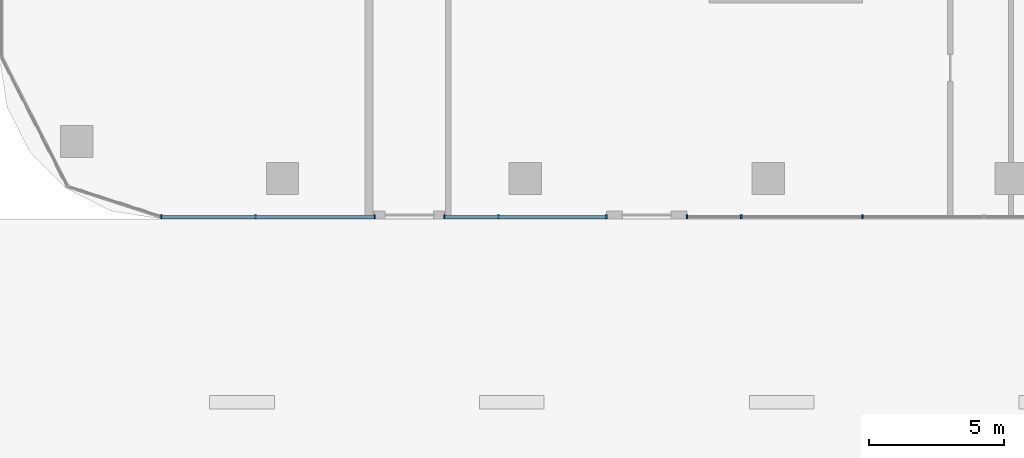
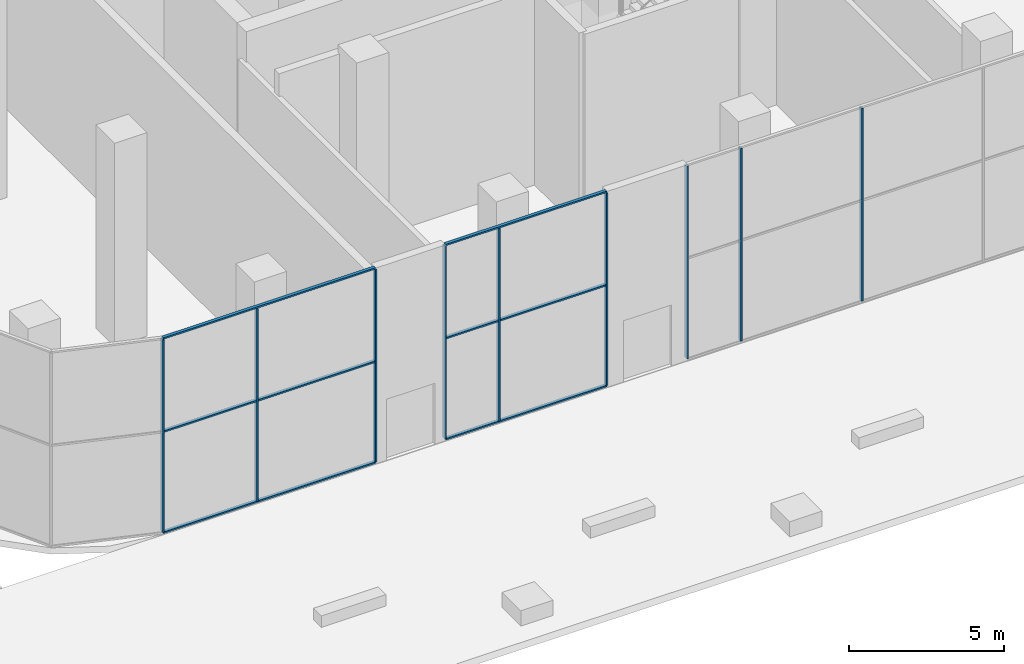
# One storey, part 12 of 54: 15 members, 3 elements without a shape of their own.
"""IFC4 building model written with IfcOpenShell, lengths in metres."""

import ifcopenshell
import ifcopenshell.guid

model = None  # the IFC model being written
_history = None  # IfcOwnerHistory: only IFC2X3 demands one
_inside = {}  # id of a spatial element -> (the spatial element, [elements in it])
_under = {}  # id of a project, library or spatial element -> (it, [spatial elements below it])
_declared = {}  # id of a project -> (the project, [libraries it declares])
_typed = {}  # id of a type object -> (the type object, [elements of that type])
_made_of = {}  # id of a material, layer set ... -> (it, [elements and type objects made of it])


def new_model(schema):
    """Start an empty IFC model of exactly this schema.

    Asked for "IFC4X3", IfcOpenShell would pick the latest addendum, in which some entities
    have other attributes; the version numbers below select the first issue.
    IFC2X3 requires an IfcOwnerHistory on every rooted entity: one is made here for all.
    """
    global model, _history
    if schema == "IFC4X3":
        model = ifcopenshell.file(schema_version=(4, 3, 0, 0))
    else:
        model = ifcopenshell.file(schema=schema)
    _inside.clear()
    _under.clear()
    _declared.clear()
    _typed.clear()
    _made_of.clear()
    _history = None
    if model.schema == "IFC2X3":
        org = make("IfcOrganization", Name="unknown")
        user = make(
            "IfcPersonAndOrganization",
            ThePerson=make("IfcPerson", FamilyName="unknown"),
            TheOrganization=org,
        )
        app = make(
            "IfcApplication",
            ApplicationDeveloper=org,
            Version="unknown",
            ApplicationFullName="unknown",
            ApplicationIdentifier="unknown",
        )
        _history = make(
            "IfcOwnerHistory",
            OwningUser=user,
            OwningApplication=app,
            ChangeAction="ADDED",
            CreationDate=0,
        )
    return model


def make(cls, **values):
    """One entity of the class cls with the attributes given. An attribute that is None is left unset."""
    return model.create_entity(
        cls, **{name: value for name, value in values.items() if value is not None}
    )


def rooted(cls, **values):
    """An entity with a GlobalId (a new one), such as an element, a storey or a relation."""
    return make(cls, GlobalId=ifcopenshell.guid.new(), OwnerHistory=_history, **values)


def si_unit(unit_type, name, prefix=None):
    """IfcSIUnit, for example si_unit("LENGTHUNIT", "METRE", prefix="MILLI")."""
    return make("IfcSIUnit", UnitType=unit_type, Prefix=prefix, Name=name)


def assignment(units):
    """IfcUnitAssignment: the units of a project."""
    return None if units is None else make("IfcUnitAssignment", Units=units)


def point(xyz):
    """IfcCartesianPoint."""
    return None if xyz is None else make("IfcCartesianPoint", Coordinates=xyz)


def direction(xyz):
    """IfcDirection."""
    return None if xyz is None else make("IfcDirection", DirectionRatios=xyz)


def frame(location, z_axis=None, x_axis=None):
    """IfcAxis2Placement3D, a coordinate frame: its origin and axes. An axis left out is left unset."""
    return make(
        "IfcAxis2Placement3D",
        Location=point(location),
        Axis=direction(z_axis),
        RefDirection=direction(x_axis),
    )


def frame_2d(location, x_axis=None):
    """IfcAxis2Placement2D, a coordinate frame in the plane: its origin and x axis."""
    return make(
        "IfcAxis2Placement2D", Location=point(location), RefDirection=direction(x_axis)
    )


def origin():
    """The frame at (0, 0, 0) with its axes left unset."""
    return frame((0.0, 0.0, 0.0))


def origin_2d():
    """The frame at (0, 0) in the plane with its x axis left unset."""
    return frame_2d((0.0, 0.0))


def place(relative_to, where):
    """IfcLocalPlacement: puts the frame where relative to a parent placement (None: the world)."""
    return make(
        "IfcLocalPlacement", PlacementRelTo=relative_to, RelativePlacement=where
    )


def context(
    kind, dimensions, precision=None, world=None, true_north=None, identifier=None
):
    """IfcGeometricRepresentationContext, for example the 3D "Model" context."""
    return make(
        "IfcGeometricRepresentationContext",
        ContextIdentifier=identifier,
        ContextType=kind,
        CoordinateSpaceDimension=dimensions,
        Precision=precision,
        WorldCoordinateSystem=world,
        TrueNorth=true_north,
    )


def subcontext(parent, identifier, kind, view, scale=None):
    """IfcGeometricRepresentationSubContext, for example "Body" below "Model"."""
    return make(
        "IfcGeometricRepresentationSubContext",
        ContextIdentifier=identifier,
        ContextType=kind,
        ParentContext=parent,
        TargetScale=scale,
        TargetView=view,
    )


def project(units=None, contexts=None):
    """IfcProject with its units and contexts."""
    return rooted(
        "IfcProject",
        Name="project",
        RepresentationContexts=contexts,
        UnitsInContext=assignment(units),
    )


def spatial(cls, under=None, at=None, **own):
    """A site, building, storey or space (cls), placed at a placement, below another one or the project."""
    s = rooted(cls, ObjectPlacement=at, **own)
    if under is not None:
        _under.setdefault(under.id(), (under, []))[1].append(s)
    return s


def profile(cls, at=None, kind="AREA", **sizes):
    """A parametric profile (cls). Its sizes go by their IFC names, for example OverallWidth=200.0."""
    return make(cls, ProfileType=kind, Position=at, **sizes)


def rectangle(**sizes):
    """IfcRectangleProfileDef."""
    return profile("IfcRectangleProfileDef", **sizes)


def extrude(swept, where, along, depth):
    """IfcExtrudedAreaSolid: the profile swept, set in the frame where, extruded along a direction by depth."""
    return make(
        "IfcExtrudedAreaSolid",
        SweptArea=swept,
        Position=where,
        ExtrudedDirection=direction(along),
        Depth=depth,
    )


def shape(context_of_items, identifier, shape_type, items):
    """IfcShapeRepresentation: the items that make up one representation, for example the "Body"."""
    return make(
        "IfcShapeRepresentation",
        ContextOfItems=context_of_items,
        RepresentationIdentifier=identifier,
        RepresentationType=shape_type,
        Items=items,
    )


def material(Name=None, Category=None):
    """IfcMaterial."""
    return make("IfcMaterial", Name=Name, Category=Category)


def material_profile(
    of_material, cross_section, Name=None, Category=None, Priority=None
):
    """IfcMaterialProfile: a cross section and its material."""
    return make(
        "IfcMaterialProfile",
        Name=Name,
        Material=of_material,
        Profile=cross_section,
        Priority=Priority,
        Category=Category,
    )


def profile_set(profiles, Name=None, composite=None):
    """IfcMaterialProfileSet."""
    return make(
        "IfcMaterialProfileSet",
        Name=Name,
        MaterialProfiles=profiles,
        CompositeProfile=composite,
    )


def made_of(thing, what):
    """Note that an element or type object is made of a material, layer set ...; save() writes the relation."""
    if what is not None:
        _made_of.setdefault(what.id(), (what, []))[1].append(thing)
    return thing


def type_object(cls, material=None, **own):
    """A type object (cls), such as IfcWallType, which elements share."""
    return made_of(rooted(cls, **own), material)


def element(
    cls,
    number,
    at=None,
    inside=None,
    cuts=None,
    type_object=None,
    material=None,
    context=None,
    identifier="Body",
    shape_type=None,
    held_by="IfcProductDefinitionShape",
    body=None,
    shapes=None,
    **own,
):
    """One element of the class cls, such as IfcWall. Its Tag is "e" and its number.

    at: its placement. inside: the storey or other place that contains it. cuts: it is an
    opening in that element (IfcRelVoidsElement). A single representation is given by context,
    identifier, shape_type and body (its items); several are given by shapes. held_by: the class
    of the entity that holds the representations. save() writes the other relations.
    """
    e = rooted(cls, Tag="e%d" % number, ObjectPlacement=at, **own)
    if body is not None:
        shapes = [shape(context, identifier, shape_type, body)]
    if shapes is not None:
        e.Representation = make(held_by, Representations=shapes)
    if inside is not None:
        _inside.setdefault(inside.id(), (inside, []))[1].append(e)
    if cuts is not None:
        rooted(
            "IfcRelVoidsElement", RelatingBuildingElement=cuts, RelatedOpeningElement=e
        )
    if type_object is not None:
        _typed.setdefault(type_object.id(), (type_object, []))[1].append(e)
    return made_of(e, material)


def aggregate(whole, parts):
    """IfcRelAggregates: a whole, such as a stair, and the parts it consists of."""
    return rooted("IfcRelAggregates", RelatingObject=whole, RelatedObjects=parts)


def save(model, path):
    """Write the relations noted so far, then the file.

    IfcRelAggregates (storeys below a building ...), IfcRelContainedInSpatialStructure (elements
    in a storey), IfcRelDefinesByType, IfcRelAssociatesMaterial and IfcRelDeclares: one each for
    every whole, place, type object, material and project.
    """
    for whole, parts in _under.values():
        aggregate(whole, parts)
    for where, things in _inside.values():
        rooted(
            "IfcRelContainedInSpatialStructure",
            RelatedElements=things,
            RelatingStructure=where,
        )
    for kind, things in _typed.values():
        rooted("IfcRelDefinesByType", RelatedObjects=things, RelatingType=kind)
    for what, things in _made_of.values():
        rooted("IfcRelAssociatesMaterial", RelatedObjects=things, RelatingMaterial=what)
    for by, libraries in _declared.values():
        rooted("IfcRelDeclares", RelatingContext=by, RelatedDefinitions=libraries)
    model.write(path)


model = new_model("IFC4")

# Units and contexts
model_context = context("Model", 3, precision=1e-05, world=origin(), true_north=direction((0.0, 1.0)))
body_context = subcontext(model_context, "Body", "Model", "MODEL_VIEW")
ifc_project = project(units=[si_unit("LENGTHUNIT", "METRE"), si_unit("AREAUNIT", "SQUARE_METRE"), si_unit("VOLUMEUNIT", "CUBIC_METRE"), si_unit("PLANEANGLEUNIT", "RADIAN"), si_unit("MASSUNIT", "GRAM", prefix="KILO")], contexts=[model_context])

# Site, building, storey
site_placement = place(None, origin())
site = spatial("IfcSite", under=ifc_project, at=site_placement, CompositionType="ELEMENT")
building_placement = place(site_placement, origin())
building = spatial("IfcBuilding", under=site, at=building_placement, Name="Ogive Portal Towers", CompositionType="ELEMENT")
storey_placement = place(building_placement, origin())
storey = spatial("IfcBuildingStorey", under=building, at=storey_placement, Name="L00", CompositionType="ELEMENT", Elevation=0.0)

# Curtain wall, members
ifc_material_1 = material(Name="Glass, clear low-iron insulated glazing", Category="glass")
curtain_wall_type = type_object("IfcCurtainWallType", Name="CW PODIUM SHOPFRONT", PredefinedType="NOTDEFINED", material=ifc_material_1)
curtain_wall_1_placement = place(storey_placement, origin())
curtain_wall_1 = element("IfcCurtainWall", 1, at=curtain_wall_1_placement, inside=storey, type_object=curtain_wall_type, Name="B:L00:f02:cw0", PredefinedType="NOTDEFINED")
ifc_material_2 = material(Name="Aluminium 6063 anodised", Category="aluminium")
ifc_material_profile_1 = material_profile(ifc_material_2, rectangle(XDim=0.159912109375, YDim=0.06005859375, at=origin_2d()), Name="AL 60x160")
ifc_profile_set_1 = profile_set([ifc_material_profile_1], Name="Aluminium 6063 anodised")
member_type_1 = type_object("IfcMemberType", Name="CW MULLION 60x160", PredefinedType="MULLION", material=ifc_profile_set_1)
member_1_placement = place(storey_placement, frame((118.0126953125, 11.080078125, 0.06005859375), z_axis=(0.0, 0.0, 1.0), x_axis=(0.0, 1.0, 0.0)))
member_1 = element("IfcMember", 2, at=member_1_placement, type_object=member_type_1, Name="mullion", PredefinedType="MULLION", context=body_context, shape_type="SweptSolid", body=[
    extrude(rectangle(XDim=0.159912109375, YDim=0.06005859375, at=origin_2d()), origin(), (0.0, 0.0, 1.0), 7.579833984375),
])
member_2_placement = place(storey_placement, frame((121.5, 11.080078125, 0.06005859375), z_axis=(0.0, 0.0, 1.0), x_axis=(0.0, 1.0, 0.0)))
member_2 = element("IfcMember", 3, at=member_2_placement, type_object=member_type_1, Name="mullion", PredefinedType="MULLION", context=body_context, shape_type="SweptSolid", body=[
    extrude(rectangle(XDim=0.159912109375, YDim=0.06005859375, at=origin_2d()), origin(), (0.0, 0.0, 1.0), 7.579833984375),
])
member_3_placement = place(storey_placement, frame((125.90576171875, 11.080078125, 0.06005859375), z_axis=(0.0, 0.0, 1.0), x_axis=(0.0, 1.0, 0.0)))
member_3 = element("IfcMember", 4, at=member_3_placement, type_object=member_type_1, Name="mullion", PredefinedType="MULLION", context=body_context, shape_type="SweptSolid", body=[
    extrude(rectangle(XDim=0.159912109375, YDim=0.06005859375, at=origin_2d()), origin(), (0.0, 0.0, 1.0), 7.579833984375),
])

curtain_wall_2_placement = place(storey_placement, origin())
curtain_wall_2 = element("IfcCurtainWall", 5, at=curtain_wall_2_placement, inside=storey, type_object=curtain_wall_type, Name="B:L00:f02:cw1", PredefinedType="NOTDEFINED")
member_4_placement = place(storey_placement, frame((128.50341796875, 11.080078125, 0.06005859375), z_axis=(0.0, 0.0, 1.0), x_axis=(0.0, 1.0, 0.0)))
member_4 = element("IfcMember", 6, at=member_4_placement, type_object=member_type_1, Name="mullion", PredefinedType="MULLION", context=body_context, shape_type="SweptSolid", body=[
    extrude(rectangle(XDim=0.159912109375, YDim=0.06005859375, at=origin_2d()), origin(), (0.0, 0.0, 1.0), 7.579833984375),
])
member_5_placement = place(storey_placement, frame((130.5, 11.080078125, 0.06005859375), z_axis=(0.0, 0.0, 1.0), x_axis=(0.0, 1.0, 0.0)))
member_5 = element("IfcMember", 7, at=member_5_placement, type_object=member_type_1, Name="mullion", PredefinedType="MULLION", context=body_context, shape_type="SweptSolid", body=[
    extrude(rectangle(XDim=0.159912109375, YDim=0.06005859375, at=origin_2d()), origin(), (0.0, 0.0, 1.0), 7.579833984375),
])
member_6_placement = place(storey_placement, frame((134.498046875, 11.080078125, 0.06005859375), z_axis=(0.0, 0.0, 1.0), x_axis=(0.0, 1.0, 0.0)))
member_6 = element("IfcMember", 8, at=member_6_placement, type_object=member_type_1, Name="mullion", PredefinedType="MULLION", context=body_context, shape_type="SweptSolid", body=[
    extrude(rectangle(XDim=0.159912109375, YDim=0.06005859375, at=origin_2d()), origin(), (0.0, 0.0, 1.0), 7.579833984375),
])

curtain_wall_3_placement = place(storey_placement, origin())
curtain_wall_3 = element("IfcCurtainWall", 9, at=curtain_wall_3_placement, inside=storey, type_object=curtain_wall_type, Name="B:L00:f02:cw2", PredefinedType="NOTDEFINED")
member_7_placement = place(storey_placement, frame((137.495361328125, 11.080078125, 0.06005859375), z_axis=(0.0, 0.0, 1.0), x_axis=(0.0, 1.0, 0.0)))
member_7 = element("IfcMember", 10, at=member_7_placement, type_object=member_type_1, Name="mullion", PredefinedType="MULLION", context=body_context, shape_type="SweptSolid", body=[
    extrude(rectangle(XDim=0.159912109375, YDim=0.06005859375, at=origin_2d()), origin(), (0.0, 0.0, 1.0), 7.579833984375),
])
member_8_placement = place(storey_placement, frame((139.5, 11.080078125, 0.06005859375), z_axis=(0.0, 0.0, 1.0), x_axis=(0.0, 1.0, 0.0)))
member_8 = element("IfcMember", 11, at=member_8_placement, type_object=member_type_1, Name="mullion", PredefinedType="MULLION", context=body_context, shape_type="SweptSolid", body=[
    extrude(rectangle(XDim=0.159912109375, YDim=0.06005859375, at=origin_2d()), origin(), (0.0, 0.0, 1.0), 7.579833984375),
])
member_9_placement = place(storey_placement, frame((144.0, 11.080078125, 0.06005859375), z_axis=(0.0, 0.0, 1.0), x_axis=(0.0, 1.0, 0.0)))
member_9 = element("IfcMember", 12, at=member_9_placement, type_object=member_type_1, Name="mullion", PredefinedType="MULLION", context=body_context, shape_type="SweptSolid", body=[
    extrude(rectangle(XDim=0.159912109375, YDim=0.06005859375, at=origin_2d()), origin(), (0.0, 0.0, 1.0), 7.579833984375),
])
aggregate(curtain_wall_3, [member_7, member_8, member_9])

# Member
ifc_material_profile_2 = material_profile(ifc_material_2, rectangle(XDim=0.1201171875, YDim=0.06005859375, at=origin_2d()), Name="AL 120x60")
ifc_profile_set_2 = profile_set([ifc_material_profile_2], Name="Aluminium 6063 anodised")
member_type_2 = type_object("IfcMemberType", Name="CW TRANSOM 60x120", PredefinedType="USERDEFINED", material=ifc_profile_set_2)
member_10_placement = place(storey_placement, frame((118.0126953125, 11.080078125, 0.030029296875), z_axis=(1.0, 0.0, 0.0), x_axis=(0.0, 1.0, 0.0)))
member_10 = element("IfcMember", 13, at=member_10_placement, type_object=member_type_2, Name="transom", ObjectType="TRANSOM", PredefinedType="USERDEFINED", context=body_context, shape_type="SweptSolid", body=[
    extrude(rectangle(XDim=0.1201171875, YDim=0.06005859375, at=origin_2d()), origin(), (0.0, 0.0, 1.0), 7.89306640625),
])

member_11_placement = place(storey_placement, frame((118.0126953125, 11.080078125, 4.0), z_axis=(1.0, 0.0, 0.0), x_axis=(0.0, 1.0, 0.0)))
member_11 = element("IfcMember", 14, at=member_11_placement, type_object=member_type_2, Name="transom", ObjectType="TRANSOM", PredefinedType="USERDEFINED", context=body_context, shape_type="SweptSolid", body=[
    extrude(rectangle(XDim=0.1201171875, YDim=0.06005859375, at=origin_2d()), origin(), (0.0, 0.0, 1.0), 7.89306640625),
])

member_12_placement = place(storey_placement, frame((118.0126953125, 11.080078125, 7.669921875), z_axis=(1.0, 0.0, 0.0), x_axis=(0.0, 1.0, 0.0)))
member_12 = element("IfcMember", 15, at=member_12_placement, type_object=member_type_2, Name="transom", ObjectType="TRANSOM", PredefinedType="USERDEFINED", context=body_context, shape_type="SweptSolid", body=[
    extrude(rectangle(XDim=0.1201171875, YDim=0.06005859375, at=origin_2d()), origin(), (0.0, 0.0, 1.0), 7.89306640625),
])

aggregate(curtain_wall_1, [member_10, member_11, member_12, member_1, member_2, member_3])

member_13_placement = place(storey_placement, frame((128.50341796875, 11.080078125, 0.030029296875), z_axis=(1.0, 0.0, 0.0), x_axis=(0.0, 1.0, 0.0)))
member_13 = element("IfcMember", 16, at=member_13_placement, type_object=member_type_2, Name="transom", ObjectType="TRANSOM", PredefinedType="USERDEFINED", context=body_context, shape_type="SweptSolid", body=[
    extrude(rectangle(XDim=0.1201171875, YDim=0.06005859375, at=origin_2d()), origin(), (0.0, 0.0, 1.0), 5.99462890625),
])

member_14_placement = place(storey_placement, frame((128.50341796875, 11.080078125, 4.0), z_axis=(1.0, 0.0, 0.0), x_axis=(0.0, 1.0, 0.0)))
member_14 = element("IfcMember", 17, at=member_14_placement, type_object=member_type_2, Name="transom", ObjectType="TRANSOM", PredefinedType="USERDEFINED", context=body_context, shape_type="SweptSolid", body=[
    extrude(rectangle(XDim=0.1201171875, YDim=0.06005859375, at=origin_2d()), origin(), (0.0, 0.0, 1.0), 5.99462890625),
])

member_15_placement = place(storey_placement, frame((128.50341796875, 11.080078125, 7.669921875), z_axis=(1.0, 0.0, 0.0), x_axis=(0.0, 1.0, 0.0)))
member_15 = element("IfcMember", 18, at=member_15_placement, type_object=member_type_2, Name="transom", ObjectType="TRANSOM", PredefinedType="USERDEFINED", context=body_context, shape_type="SweptSolid", body=[
    extrude(rectangle(XDim=0.1201171875, YDim=0.06005859375, at=origin_2d()), origin(), (0.0, 0.0, 1.0), 5.99462890625),
])

aggregate(curtain_wall_2, [member_13, member_14, member_15, member_4, member_5, member_6])

save(model, "model.ifc")
